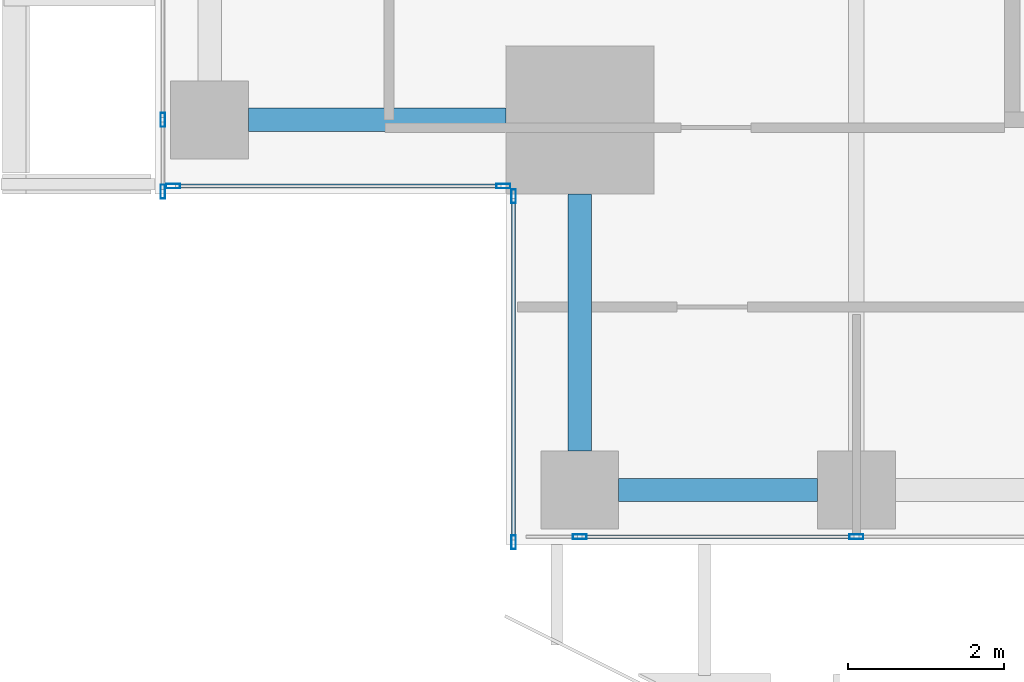
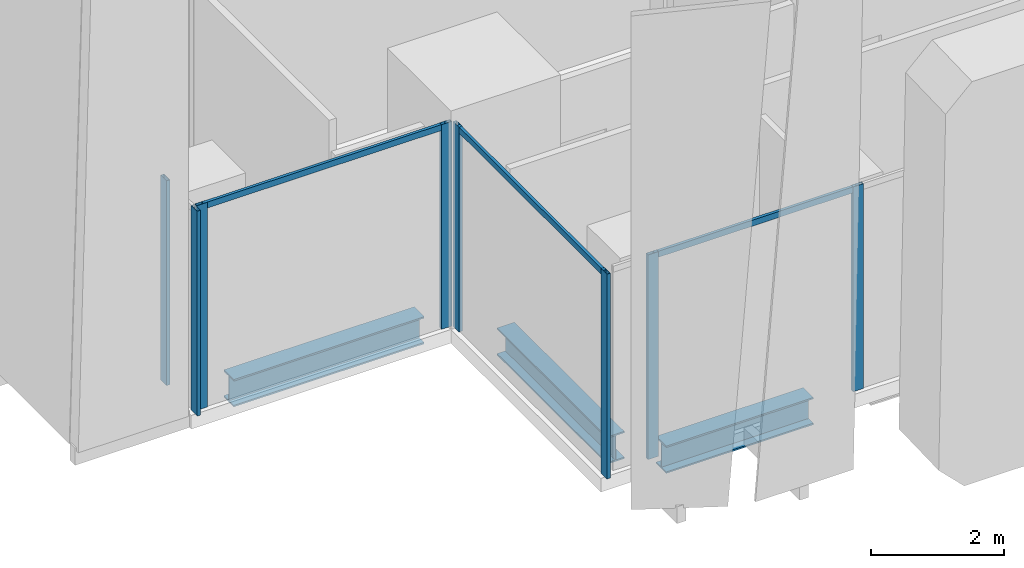
# One storey, part 2 of 35: 11 members, 3 beams, 4 elements without a shape of their own.
"""IFC4 building model written with IfcOpenShell, lengths in metres."""

from ifc_helpers import new_model, si_unit, direction, frame, origin, origin_2d, place, context, subcontext, project, spatial, hollow_rectangle, i_section, extrude, source, transform, mapped, material, material_profile, profile_set, type_object, element, aggregate, save


model = new_model("IFC4")

# Units and contexts
model_context = context("Model", 3, precision=1e-05, world=origin(), true_north=direction((0.0, 1.0)))
body_context = subcontext(model_context, "Body", "Model", "MODEL_VIEW")
ifc_project = project(units=[si_unit("LENGTHUNIT", "METRE"), si_unit("AREAUNIT", "SQUARE_METRE"), si_unit("VOLUMEUNIT", "CUBIC_METRE"), si_unit("PLANEANGLEUNIT", "RADIAN"), si_unit("MASSUNIT", "GRAM", prefix="KILO")], contexts=[model_context])

# Site, building, storey
site_placement = place(None, origin())
site = spatial("IfcSite", under=ifc_project, at=site_placement, CompositionType="ELEMENT")
building_placement = place(site_placement, origin())
building = spatial("IfcBuilding", under=site, at=building_placement, Name="Khomas Fold Tower", CompositionType="ELEMENT")
storey_placement = place(building_placement, frame((0.0, 0.0, 188.699951171875)))
storey = spatial("IfcBuildingStorey", under=building, at=storey_placement, Name="L41", CompositionType="ELEMENT", Elevation=188.699951171875)

# Beams
ifc_material_1 = material(Name="Steel S355", Category="steel")
ifc_material_profile_1 = material_profile(ifc_material_1, i_section(OverallWidth=0.300048828125, OverallDepth=0.5, WebThickness=0.014404296875, FlangeThickness=0.028076171875, at=origin_2d()), Name="HE 500 B")
ifc_profile_set_1 = profile_set([ifc_material_profile_1], Name="Steel S355")
beam_type = type_object("IfcBeamType", Name="HE 500 B spandrel SB3", PredefinedType="SPANDREL", material=ifc_profile_set_1)
shared_shape_1 = source(origin(), body_context, "Body", "SweptSolid", [
    extrude(i_section(OverallWidth=0.300048828125, OverallDepth=0.5, WebThickness=0.014404296875, FlangeThickness=0.028076171875, at=origin_2d()), origin(), (0.0, 0.0, 1.0), 2.550048828125),
])
beam_placement = place(storey_placement, frame((8.949951171875, 3.699951171875, -0.5), z_axis=(1.0, 0.0, 0.0), x_axis=(0.0, 1.0, 0.0)))
element("IfcBeam", 1, at=beam_placement, inside=storey, type_object=beam_type, Name="SB3", PredefinedType="SPANDREL", context=body_context, shape_type="MappedRepresentation", body=[
    mapped(shared_shape_1, transform((0.0, 0.0, 0.0))),
])
shared_shape_2 = source(origin(), body_context, "Body", "SweptSolid", [
    extrude(i_section(OverallWidth=0.300048828125, OverallDepth=0.5, WebThickness=0.014404296875, FlangeThickness=0.028076171875, at=origin_2d()), origin(), (0.0, 0.0, 1.0), 3.300048828125),
])
for number, where, z_axis, x_axis, name in (
    (2, (4.199951171875, 8.449951171875, -0.5), (1.0, 0.0, 0.0), (0.0, 1.0, 0.0), "SB3"),
    (3, (8.449951171875, 4.199951171875, -0.5), (0.0, 1.0, 0.0), (-1.0, 0.0, 0.0), "SB3"),
):
    element("IfcBeam", number, at=place(storey_placement, frame(where, z_axis=z_axis, x_axis=x_axis)), inside=storey, type_object=beam_type, Name=name, PredefinedType="SPANDREL", context=body_context, shape_type="MappedRepresentation", body=[
        mapped(shared_shape_2, transform((0.0, 0.0, 0.0))),
    ])

# Curtain wall, members
ifc_material_2 = material(Name="Aluminium framed double glazing", Category="aluminium")
curtain_wall_type = type_object("IfcCurtainWallType", Name="SK-Unitised clear-glass wall, office floors CW2", PredefinedType="NOTDEFINED", material=ifc_material_2)
curtain_wall_1_placement = place(storey_placement, origin())
curtain_wall_1 = element("IfcCurtainWall", 4, at=curtain_wall_1_placement, inside=storey, type_object=curtain_wall_type, Name="CW2 run L41 00-0", PredefinedType="NOTDEFINED")
ifc_material_3 = material(Name="Aluminium", Category="aluminium")
ifc_material_profile_2 = material_profile(ifc_material_3, hollow_rectangle(XDim=0.06005859375, YDim=0.179931640625, WallThickness=0.00390625, at=origin_2d()), Name="SK-Unitised clear-glass wall, office floors mullion CW2-M")
ifc_profile_set_2 = profile_set([ifc_material_profile_2], Name="Aluminium")
member_type_1 = type_object("IfcMemberType", Name="SK-Unitised clear-glass wall, office floors mullion CW2-M", PredefinedType="MULLION", material=ifc_profile_set_2)
shared_shape_3 = source(origin(), body_context, "Body", "SweptSolid", [
    extrude(hollow_rectangle(XDim=0.06005859375, YDim=0.179931640625, WallThickness=0.00390625, at=origin_2d()), origin(), (0.0, 0.0, 1.0), 3.75),
])
member_1_placement = place(storey_placement, frame((8.449951171875, 3.10009765625, 0.0), z_axis=(0.0, 0.0, 1.0), x_axis=(0.0, 1.0, 0.0)))
member_1 = element("IfcMember", 5, at=member_1_placement, type_object=member_type_1, Name="CW2 mullion 2", PredefinedType="MULLION", context=body_context, shape_type="MappedRepresentation", body=[
    mapped(shared_shape_3, transform((0.0, 0.0, 0.0))),
])
member_2_placement = place(storey_placement, frame((12.0, 3.10009765625, 0.0), z_axis=(0.0, 0.0, 1.0), x_axis=(0.0, 1.0, 0.0)))
member_2 = element("IfcMember", 6, at=member_2_placement, type_object=member_type_1, Name="CW2 mullion 3", PredefinedType="MULLION", context=body_context, shape_type="MappedRepresentation", body=[
    mapped(shared_shape_3, transform((0.0, 0.0, 0.0))),
])

curtain_wall_2_placement = place(storey_placement, origin())
curtain_wall_2 = element("IfcCurtainWall", 7, at=curtain_wall_2_placement, inside=storey, type_object=curtain_wall_type, Name="CW2 run L41 09-0", PredefinedType="NOTDEFINED")
member_3_placement = place(storey_placement, frame((3.10009765625, 8.449951171875, 0.0), z_axis=(0.0, 0.0, 1.0), x_axis=(1.0, 0.0, 0.0)))
member_3 = element("IfcMember", 8, at=member_3_placement, type_object=member_type_1, Name="CW2 mullion 8", PredefinedType="MULLION", context=body_context, shape_type="MappedRepresentation", body=[
    mapped(shared_shape_3, transform((0.0, 0.0, 0.0))),
])
member_4_placement = place(storey_placement, frame((3.10009765625, 7.530029296875, 0.0), z_axis=(0.0, 0.0, 1.0), x_axis=(1.0, 0.0, 0.0)))
member_4 = element("IfcMember", 9, at=member_4_placement, type_object=member_type_1, Name="CW2 mullion 9", PredefinedType="MULLION", context=body_context, shape_type="MappedRepresentation", body=[
    mapped(shared_shape_3, transform((0.0, 0.0, 0.0))),
])
aggregate(curtain_wall_2, [member_3, member_4])

curtain_wall_3_placement = place(storey_placement, origin())
curtain_wall_3 = element("IfcCurtainWall", 10, at=curtain_wall_3_placement, inside=storey, type_object=curtain_wall_type, Name="CW2 corner return L41 10", PredefinedType="NOTDEFINED")
member_5_placement = place(storey_placement, frame((3.22998046875, 7.60009765625, 0.0), z_axis=(0.0, 0.0, 1.0), x_axis=(0.0, 1.0, 0.0)))
member_5 = element("IfcMember", 11, at=member_5_placement, type_object=member_type_1, Name="CW2 mullion 1", PredefinedType="MULLION", context=body_context, shape_type="MappedRepresentation", body=[
    mapped(shared_shape_3, transform((0.0, 0.0, 0.0))),
])
member_6_placement = place(storey_placement, frame((7.469970703125, 7.60009765625, 0.0), z_axis=(0.0, 0.0, 1.0), x_axis=(0.0, 1.0, 0.0)))
member_6 = element("IfcMember", 12, at=member_6_placement, type_object=member_type_1, Name="CW2 mullion 2", PredefinedType="MULLION", context=body_context, shape_type="MappedRepresentation", body=[
    mapped(shared_shape_3, transform((0.0, 0.0, 0.0))),
])

curtain_wall_4_placement = place(storey_placement, origin())
curtain_wall_4 = element("IfcCurtainWall", 13, at=curtain_wall_4_placement, inside=storey, type_object=curtain_wall_type, Name="CW2 corner return L41 11", PredefinedType="NOTDEFINED")
member_7_placement = place(storey_placement, frame((7.60009765625, 7.469970703125, 0.0), z_axis=(0.0, 0.0, 1.0), x_axis=(1.0, 0.0, 0.0)))
member_7 = element("IfcMember", 14, at=member_7_placement, type_object=member_type_1, Name="CW2 mullion 1", PredefinedType="MULLION", context=body_context, shape_type="MappedRepresentation", body=[
    mapped(shared_shape_3, transform((0.0, 0.0, 0.0))),
])
member_8_placement = place(storey_placement, frame((7.60009765625, 3.030029296875, 0.0), z_axis=(0.0, 0.0, 1.0), x_axis=(1.0, 0.0, 0.0)))
member_8 = element("IfcMember", 15, at=member_8_placement, type_object=member_type_1, Name="CW2 mullion 2", PredefinedType="MULLION", context=body_context, shape_type="MappedRepresentation", body=[
    mapped(shared_shape_3, transform((0.0, 0.0, 0.0))),
])
ifc_material_4 = material(Name="Aluminium", Category="aluminium")
ifc_material_profile_3 = material_profile(ifc_material_4, hollow_rectangle(XDim=0.050048828125, YDim=0.110107421875, WallThickness=0.00390625, at=origin_2d()), Name="SK-Unitised clear-glass wall, office floors transom CW2-T")
ifc_profile_set_3 = profile_set([ifc_material_profile_3], Name="Aluminium")
member_type_2 = type_object("IfcMemberType", Name="SK-Unitised clear-glass wall, office floors transom CW2-T", PredefinedType="USERDEFINED", material=ifc_profile_set_3)
shared_shape_4 = source(origin(), body_context, "Body", "SweptSolid", [
    extrude(hollow_rectangle(XDim=0.050048828125, YDim=0.110107421875, WallThickness=0.00390625, at=origin_2d()), origin(), (0.0, 0.0, 1.0), 4.3798828125),
])
member_9_placement = place(storey_placement, frame((7.60009765625, 7.43994140625, 3.695068359375), z_axis=(0.0, -1.0, 0.0), x_axis=(1.0, 0.0, 0.0)))
member_9 = element("IfcMember", 16, at=member_9_placement, type_object=member_type_2, Name="CW2 transom 1", ObjectType="TRANSOM", PredefinedType="USERDEFINED", context=body_context, shape_type="MappedRepresentation", body=[
    mapped(shared_shape_4, transform((0.0, 0.0, 0.0))),
])
aggregate(curtain_wall_4, [member_7, member_8, member_9])

# Member
shared_shape_5 = source(origin(), body_context, "Body", "SweptSolid", [
    extrude(hollow_rectangle(XDim=0.050048828125, YDim=0.110107421875, WallThickness=0.00390625, at=origin_2d()), origin(), (0.0, 0.0, 1.0), 3.489990234375),
])
member_10_placement = place(storey_placement, frame((8.47998046875, 3.10009765625, 3.695068359375), z_axis=(1.0, 0.0, 0.0), x_axis=(0.0, 1.0, 0.0)))
member_10 = element("IfcMember", 17, at=member_10_placement, type_object=member_type_2, Name="CW2 transom 2", ObjectType="TRANSOM", PredefinedType="USERDEFINED", context=body_context, shape_type="MappedRepresentation", body=[
    mapped(shared_shape_5, transform((0.0, 0.0, 0.0))),
])

aggregate(curtain_wall_1, [member_1, member_2, member_10])

shared_shape_6 = source(origin(), body_context, "Body", "SweptSolid", [
    extrude(hollow_rectangle(XDim=0.050048828125, YDim=0.110107421875, WallThickness=0.00390625, at=origin_2d()), origin(), (0.0, 0.0, 1.0), 4.179931640625),
])
member_11_placement = place(storey_placement, frame((3.260009765625, 7.60009765625, 3.695068359375), z_axis=(1.0, 0.0, 0.0), x_axis=(0.0, 1.0, 0.0)))
member_11 = element("IfcMember", 18, at=member_11_placement, type_object=member_type_2, Name="CW2 transom 1", ObjectType="TRANSOM", PredefinedType="USERDEFINED", context=body_context, shape_type="MappedRepresentation", body=[
    mapped(shared_shape_6, transform((0.0, 0.0, 0.0))),
])

aggregate(curtain_wall_3, [member_5, member_6, member_11])

save(model, "model.ifc")
